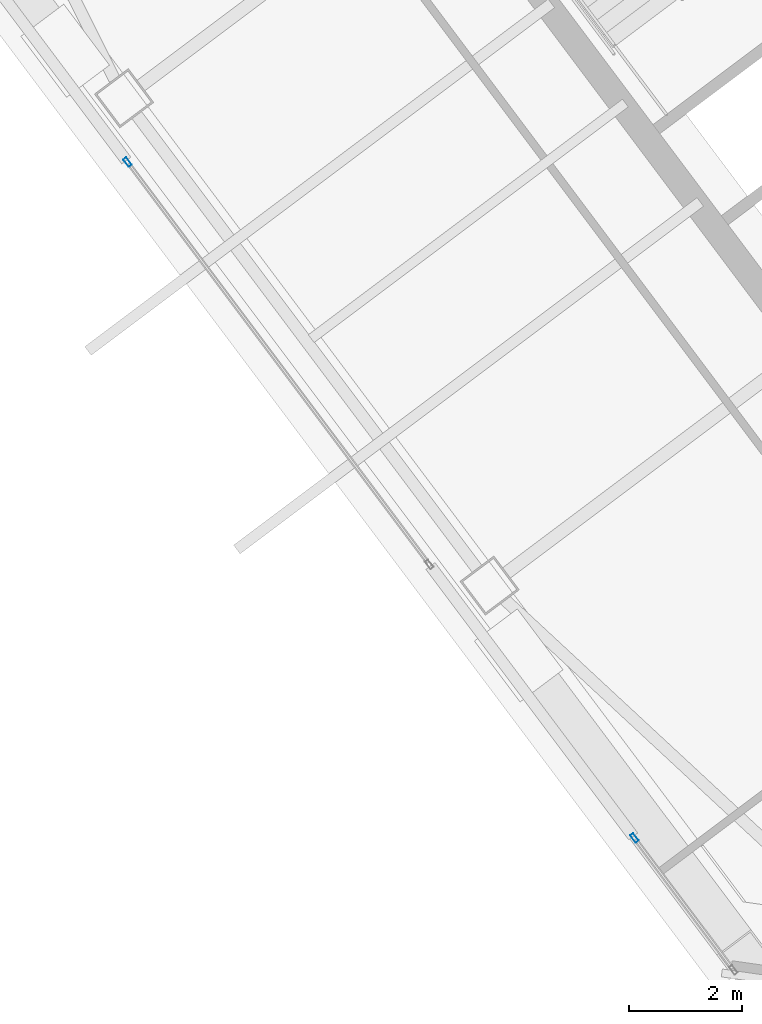
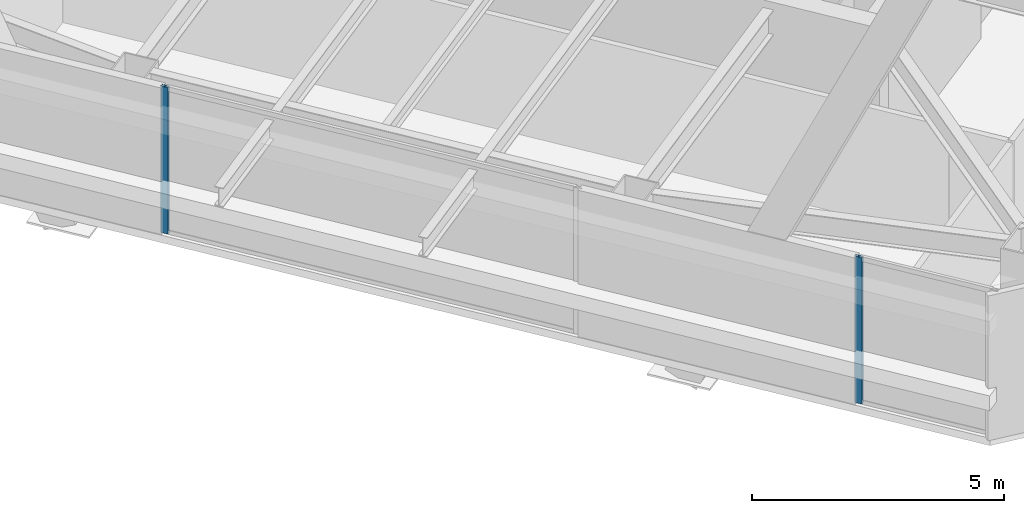
# One storey, part 26 of 56: 2 members, 2 elements without a shape of their own.
"""IFC4 building model written with IfcOpenShell, lengths in metres."""

from ifc_helpers import new_model, si_unit, direction, frame, origin, origin_2d, place, context, subcontext, project, spatial, hollow_rectangle, extrude, material, material_profile, profile_set, type_object, element, aggregate, save


model = new_model("IFC4")

# Units and contexts
model_context = context("Model", 3, precision=1e-05, world=origin(), true_north=direction((0.0, 1.0)))
body_context = subcontext(model_context, "Body", "Model", "MODEL_VIEW")
ifc_project = project(units=[si_unit("LENGTHUNIT", "METRE"), si_unit("AREAUNIT", "SQUARE_METRE"), si_unit("VOLUMEUNIT", "CUBIC_METRE"), si_unit("PLANEANGLEUNIT", "RADIAN"), si_unit("MASSUNIT", "GRAM", prefix="KILO")], contexts=[model_context])

# Site, building, storey
site_placement = place(None, origin())
site = spatial("IfcSite", under=ifc_project, at=site_placement, CompositionType="ELEMENT")
building_placement = place(site_placement, origin())
building = spatial("IfcBuilding", under=site, at=building_placement, Name="Tashvorn Skyway Center", CompositionType="ELEMENT")
storey_placement = place(building_placement, frame((0.0, 0.0, 218.39990234375)))
storey = spatial("IfcBuildingStorey", under=building, at=storey_placement, Name="L59", CompositionType="ELEMENT", Elevation=218.39990234375)

# Curtain wall, member
ifc_material = material(Name="Thermally broken bronze-anodized aluminium 6063-T6", Category="aluminium")
curtain_wall_type = type_object("IfcCurtainWallType", Name="CW-CW-Z5", PredefinedType="NOTDEFINED", material=ifc_material)
curtain_wall_1_placement = place(storey_placement, origin())
curtain_wall_1 = element("IfcCurtainWall", 1, at=curtain_wall_1_placement, inside=storey, type_object=curtain_wall_type, Name="Tower 2 L59 West Unitised Curtain Wall Glazing Group 1", PredefinedType="NOTDEFINED")
ifc_material_profile = material_profile(ifc_material, hollow_rectangle(XDim=0.070068359375, YDim=0.1650390625, WallThickness=0.00390625, at=origin_2d()), Name="ALU-MULL-70x165")
ifc_profile_set = profile_set([ifc_material_profile], Name="Thermally broken bronze-anodized aluminium 6063-T6")
member_type = type_object("IfcMemberType", Name="CWM-CW-Z5", PredefinedType="MULLION", material=ifc_profile_set)
member_1_placement = place(storey_placement, frame((107.927734375, 14.29638671875, 0.0), z_axis=(0.0, 0.0, 1.0), x_axis=(-0.799999999998, -0.600000000002, 0.0)))
member_1 = element("IfcMember", 2, at=member_1_placement, type_object=member_type, Name="CW-Z5 mullion 2", PredefinedType="MULLION", context=body_context, shape_type="SweptSolid", body=[
    extrude(hollow_rectangle(XDim=0.070068359375, YDim=0.1650390625, WallThickness=0.00390625, at=origin_2d()), origin(), (0.0, 0.0, 1.0), 3.550048828125),
])
aggregate(curtain_wall_1, [member_1])

curtain_wall_2_placement = place(storey_placement, origin())
curtain_wall_2 = element("IfcCurtainWall", 3, at=curtain_wall_2_placement, inside=storey, type_object=curtain_wall_type, Name="Tower 2 L59 West Unitised Curtain Wall Glazing Group 2", PredefinedType="NOTDEFINED")
member_2_placement = place(storey_placement, frame((98.94091796875, 26.27880859375, 0.0), z_axis=(0.0, 0.0, 1.0), x_axis=(-0.800002670596, -0.599996439189, 0.0)))
member_2 = element("IfcMember", 4, at=member_2_placement, type_object=member_type, Name="CW-Z5 mullion 2", PredefinedType="MULLION", context=body_context, shape_type="SweptSolid", body=[
    extrude(hollow_rectangle(XDim=0.070068359375, YDim=0.1650390625, WallThickness=0.00390625, at=origin_2d()), origin(), (0.0, 0.0, 1.0), 3.550048828125),
])
aggregate(curtain_wall_2, [member_2])

save(model, "model.ifc")
